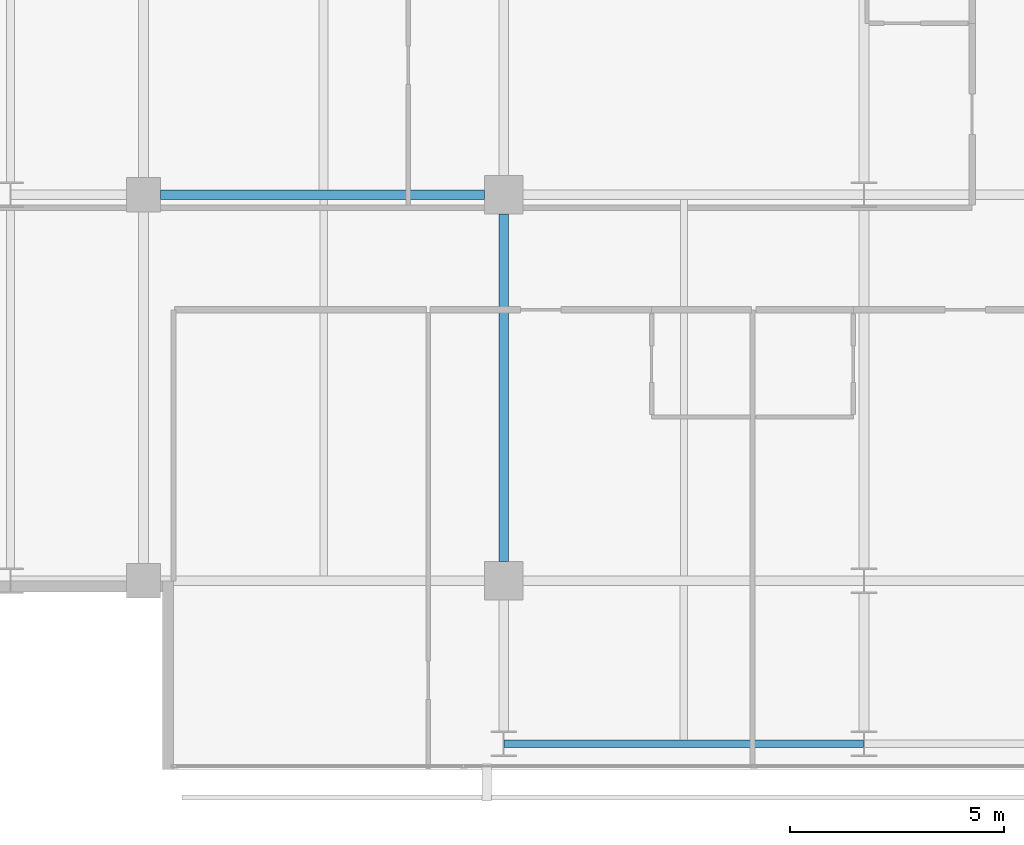
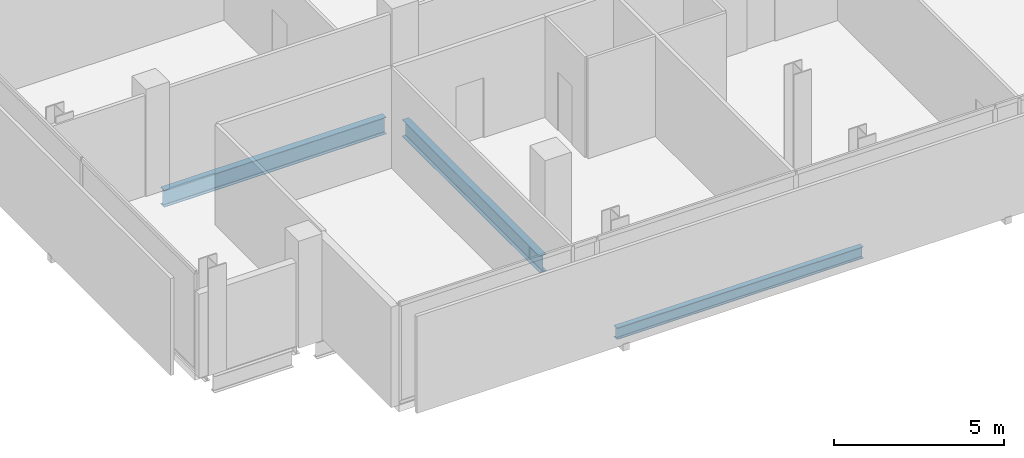
# One storey, part 5 of 32: 3 beams.
"""IFC4 building model written with IfcOpenShell, lengths in metres."""

from ifc_helpers import new_model, si_unit, direction, frame, origin, origin_2d, place, context, subcontext, project, spatial, i_section, extrude, material, material_profile, profile_set, type_object, element, save


model = new_model("IFC4")

# Units and contexts
model_context = context("Model", 3, precision=1e-05, world=origin(), true_north=direction((0.0, 1.0)))
body_context = subcontext(model_context, "Body", "Model", "MODEL_VIEW")
ifc_project = project(units=[si_unit("LENGTHUNIT", "METRE"), si_unit("AREAUNIT", "SQUARE_METRE"), si_unit("VOLUMEUNIT", "CUBIC_METRE"), si_unit("PLANEANGLEUNIT", "RADIAN"), si_unit("MASSUNIT", "GRAM", prefix="KILO")], contexts=[model_context])

# Site, building, storey
site_placement = place(None, origin())
site = spatial("IfcSite", under=ifc_project, at=site_placement, CompositionType="ELEMENT")
building_placement = place(site_placement, origin())
building = spatial("IfcBuilding", under=site, at=building_placement, Name="Maruvema Waterfront Hotel and Observation Tower", CompositionType="ELEMENT")
storey_placement = place(building_placement, frame((0.0, 0.0, 162.050048828125)))
storey = spatial("IfcBuildingStorey", under=building, at=storey_placement, Name="L39", CompositionType="ELEMENT", Elevation=162.050048828125)

# Beams
ifc_material_1 = material(Name="Steel ASTM A572 Grade 50", Category="steel")
ifc_material_profile_1 = material_profile(ifc_material_1, i_section(OverallWidth=0.180908203125, OverallDepth=0.4169921875, WebThickness=0.010986328125, FlangeThickness=0.018310546875, FilletRadius=0.014892578125, at=origin_2d()), Name="W410x85.0")
ifc_profile_set_1 = profile_set([ifc_material_profile_1], Name="Steel ASTM A572 Grade 50")
beam_type_1 = type_object("IfcBeamType", Name="Perimeter Spandrel Beam W410x85.0", PredefinedType="SPANDREL", material=ifc_profile_set_1)
beam_1_placement = place(storey_placement, frame((25.21240234375, 5.199951171875, -0.448486328125), z_axis=(1.0, 0.0, 0.0), x_axis=(0.0, 1.0, 0.0)))
element("IfcBeam", 1, at=beam_1_placement, inside=storey, type_object=beam_type_1, Name="L39 Floor Girder EW-01", PredefinedType="SPANDREL", context=body_context, shape_type="SweptSolid", body=[
    extrude(i_section(OverallWidth=0.180908203125, OverallDepth=0.4169921875, WebThickness=0.010986328125, FlangeThickness=0.018310546875, FilletRadius=0.014892578125, at=origin_2d()), origin(), (0.0, 0.0, 1.0), 8.375),
])
ifc_material_2 = material(Name="Steel ASTM A572 Grade 50", Category="steel")
ifc_material_profile_2 = material_profile(ifc_material_2, i_section(OverallWidth=0.22802734375, OverallDepth=0.60302734375, WebThickness=0.010498046875, FlangeThickness=0.014892578125, FilletRadius=0.01806640625, at=origin_2d()), Name="W610x101.0")
ifc_profile_set_2 = profile_set([ifc_material_profile_2], Name="Steel ASTM A572 Grade 50")
beam_type_2 = type_object("IfcBeamType", Name="Primary Floor Girder W610x101.0", PredefinedType="BEAM", material=ifc_profile_set_2)
beam_2_placement = place(storey_placement, frame((17.199951171875, 18.0, -0.54150390625), z_axis=(1.0, 0.0, 0.0), x_axis=(0.0, 1.0, 0.0)))
element("IfcBeam", 2, at=beam_2_placement, inside=storey, type_object=beam_type_2, Name="L39 Floor Girder EW-12", PredefinedType="BEAM", context=body_context, shape_type="SweptSolid", body=[
    extrude(i_section(OverallWidth=0.22802734375, OverallDepth=0.60302734375, WebThickness=0.010498046875, FlangeThickness=0.014892578125, FilletRadius=0.01806640625, at=origin_2d()), origin(), (0.0, 0.0, 1.0), 7.550048828125),
])
beam_3_placement = place(storey_placement, frame((25.199951171875, 9.449951171875, -0.54150390625), z_axis=(0.0, 1.0, 0.0), x_axis=(-1.0, 0.0, 0.0)))
element("IfcBeam", 3, at=beam_3_placement, inside=storey, type_object=beam_type_2, Name="L39 Floor Girder NS-10", PredefinedType="BEAM", context=body_context, shape_type="SweptSolid", body=[
    extrude(i_section(OverallWidth=0.22802734375, OverallDepth=0.60302734375, WebThickness=0.010498046875, FlangeThickness=0.014892578125, FilletRadius=0.01806640625, at=origin_2d()), origin(), (0.0, 0.0, 1.0), 8.10009765625),
])

save(model, "model.ifc")
